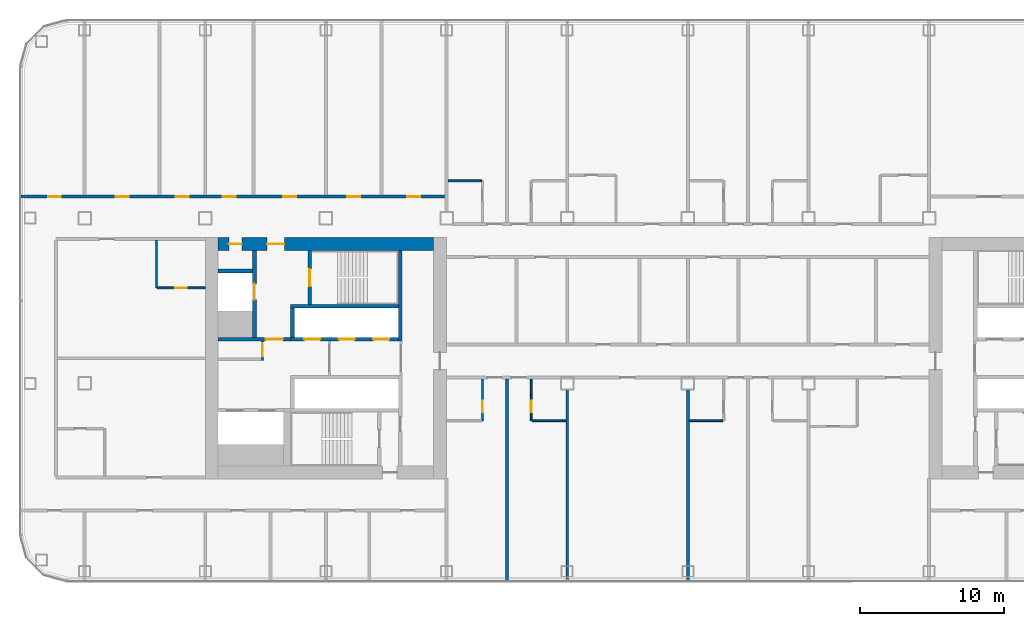
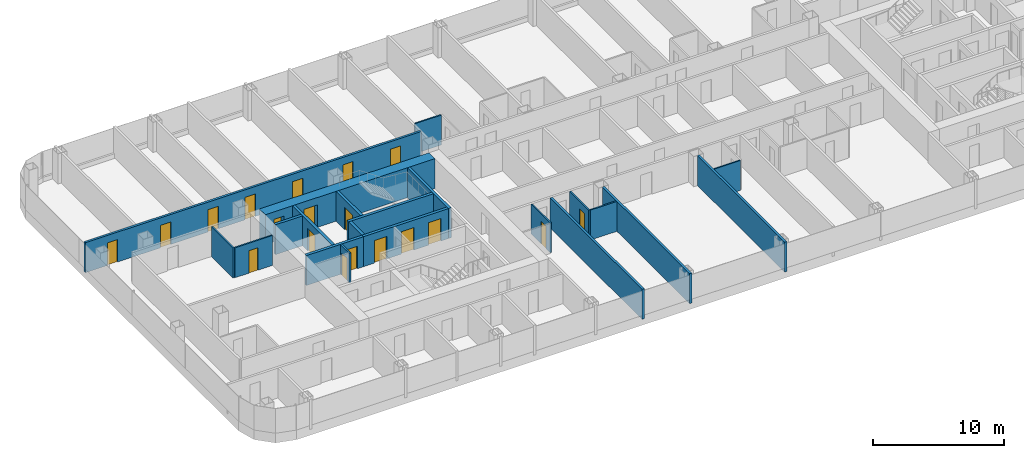
# One storey, part 16 of 29: 21 walls, 19 doors, 19 openings.
"""IFC4 building model written with IfcOpenShell, lengths in metres."""

from ifc_helpers import new_model, si_unit, direction, frame, frame_2d, origin, place, context, subcontext, project, spatial, rectangle, extrude, material, layer, layer_set, type_object, element, fill, save


model = new_model("IFC4")

# Units and contexts
model_context = context("Model", 3, precision=1e-05, world=origin(), true_north=direction((0.0, 1.0)))
body_context = subcontext(model_context, "Body", "Model", "MODEL_VIEW")
ifc_project = project(units=[si_unit("LENGTHUNIT", "METRE"), si_unit("AREAUNIT", "SQUARE_METRE"), si_unit("VOLUMEUNIT", "CUBIC_METRE"), si_unit("PLANEANGLEUNIT", "RADIAN"), si_unit("MASSUNIT", "GRAM", prefix="KILO")], contexts=[model_context])

# Site, building, storey
site_placement = place(None, origin())
site = spatial("IfcSite", under=ifc_project, at=site_placement, CompositionType="ELEMENT")
building_placement = place(site_placement, origin())
building = spatial("IfcBuilding", under=site, at=building_placement, Name="Hakoniwa Tower and Hamabe Station Hall", CompositionType="ELEMENT")
storey_placement = place(building_placement, frame((0.0, 0.0, 101.0)))
storey = spatial("IfcBuildingStorey", under=building, at=storey_placement, Name="L28", CompositionType="ELEMENT", Elevation=101.0)

# Walls
ifc_material_1 = material(Name="Gypsum board partition", Category="gypsum")
ifc_layer_1 = layer(ifc_material_1, 0.125)
ifc_layer_set_1 = layer_set([ifc_layer_1], Name="Bathroom Partition 125")
wall_type_1 = type_object("IfcWallType", Name="Bathroom Partition 125", PredefinedType="PARTITIONING", material=ifc_layer_set_1)
for number, where, z_axis, x_axis, name in (
    (1, (-10.83740234375, -4.35009765625, 0.0), (0.0, 0.0, 1.0), (1.0, 0.0, 0.0), "GW-L28-009"),
    (2, (0.10009765625, -4.35009765625, 0.0), (0.0, 0.0, 1.0), (1.0, 0.0, 0.0), "GW-L28-010"),
):
    element("IfcWall", number, at=place(storey_placement, frame(where, z_axis=z_axis, x_axis=x_axis)), inside=storey, type_object=wall_type_1, Name=name, PredefinedType="PARTITIONING", context=body_context, shape_type="SweptSolid", body=[
        extrude(rectangle(XDim=2.33740234375, YDim=0.125, at=frame_2d((1.168701171875, 0.0))), origin(), (0.0, 0.0, 1.0), 2.800048828125),
    ])

# Wall, opening, door
wall_1_placement = place(storey_placement, frame((-36.9375, 4.89990234375, 0.0), z_axis=(0.0, 0.0, 1.0), x_axis=(1.0, 0.0, 0.0)))
wall_1 = element("IfcWall", 3, at=wall_1_placement, inside=storey, type_object=wall_type_1, Name="GW-L28-016", PredefinedType="PARTITIONING", context=body_context, shape_type="SweptSolid", body=[
    extrude(rectangle(XDim=3.33740234375, YDim=0.125, at=frame_2d((1.668701171875, 0.0))), origin(), (0.0, 0.0, 1.0), 2.800048828125),
])
opening_1_placement = place(wall_1_placement, frame((1.237548828125, 0.0, 0.0)))
opening_1 = element("IfcOpeningElement", 4, at=opening_1_placement, cuts=wall_1, Name="Opening GD-G2D1-29", PredefinedType="OPENING", context=body_context, shape_type="SweptSolid", body=[
    extrude(rectangle(XDim=0.800048828125, YDim=2.10009765625, at=frame_2d((0.39990234375, 1.050048828125))), frame((0.0, 0.072509765625, 0.0), z_axis=(0.0, -1.0, 0.0), x_axis=(1.0, 0.0, 0.0)), (0.0, 0.0, 1.0), 0.14501953125),
])
ifc_material_2 = material(Name="Timber door leaf", Category="wood")
door_type_1 = type_object("IfcDoorType", Name="Bathroom Door 800", OperationType="SINGLE_SWING_LEFT", PredefinedType="DOOR", material=ifc_material_2)
door_1_placement = place(opening_1_placement, origin())
door_1 = element("IfcDoor", 5, at=door_1_placement, inside=storey, type_object=door_type_1, Name="Door GD-G2D1-29", OperationType="SINGLE_SWING_RIGHT", OverallHeight=2.10009765625, OverallWidth=0.800048828125, PredefinedType="DOOR", context=body_context, shape_type="SweptSolid", body=[
    extrude(rectangle(XDim=0.800048828125, YDim=2.10009765625, at=frame_2d((0.39990234375, 1.050048828125))), frame((0.0, 0.02490234375, 0.0), z_axis=(0.0, -1.0, 0.0), x_axis=(1.0, 0.0, 0.0)), (0.0, 0.0, 1.0), 0.050048828125),
])
fill(opening_1, door_1)

# Walls
wall_2_placement = place(storey_placement, frame((-16.699951171875, 12.35009765625, 0.0), z_axis=(0.0, 0.0, 1.0), x_axis=(1.0, 0.0, 0.0)))
element("IfcWall", 6, at=wall_2_placement, inside=storey, type_object=wall_type_1, Name="GW-L28-024", PredefinedType="PARTITIONING", context=body_context, shape_type="SweptSolid", body=[
    extrude(rectangle(XDim=2.33740234375, YDim=0.125, at=frame_2d((1.168701171875, 0.0))), origin(), (0.0, 0.0, 1.0), 2.800048828125),
])
wall_3_placement = place(storey_placement, frame((-37.0, 4.89990234375, 0.0), z_axis=(0.0, 0.0, 1.0), x_axis=(0.0, 1.0, 0.0)))
element("IfcWall", 7, at=wall_3_placement, inside=storey, type_object=wall_type_1, Name="GW-L28-034", PredefinedType="PARTITIONING", context=body_context, shape_type="SweptSolid", body=[
    extrude(rectangle(XDim=3.300048828125, YDim=0.125, at=frame_2d((1.64990234375, 0.0))), origin(), (0.0, 0.0, 1.0), 2.800048828125),
])

# Wall, opening, door
wall_4_placement = place(storey_placement, frame((-14.300048828125, -4.35009765625, 0.0), z_axis=(0.0, 0.0, 1.0), x_axis=(0.0, 1.0, 0.0)))
wall_4 = element("IfcWall", 8, at=wall_4_placement, inside=storey, type_object=wall_type_1, Name="GW-L28-046", PredefinedType="PARTITIONING", context=body_context, shape_type="SweptSolid", body=[
    extrude(rectangle(XDim=2.900146484375, YDim=0.125, at=frame_2d((1.4501953125, 0.0))), origin(), (0.0, 0.0, 1.0), 2.800048828125),
])
opening_2_placement = place(wall_4_placement, frame((0.60009765625, 0.0, 0.0)))
opening_2 = element("IfcOpeningElement", 9, at=opening_2_placement, cuts=wall_4, Name="Opening GD-G2D1-56", PredefinedType="OPENING", context=body_context, shape_type="SweptSolid", body=[
    extrude(rectangle(XDim=0.800048828125, YDim=2.10009765625, at=frame_2d((0.39990234375, 1.050048828125))), frame((0.0, 0.072509765625, 0.0), z_axis=(0.0, -1.0, 0.0), x_axis=(1.0, 0.0, 0.0)), (0.0, 0.0, 1.0), 0.14501953125),
])
door_2_placement = place(opening_2_placement, origin())
door_2 = element("IfcDoor", 10, at=door_2_placement, inside=storey, type_object=door_type_1, Name="Door GD-G2D1-56", OperationType="SINGLE_SWING_RIGHT", OverallHeight=2.10009765625, OverallWidth=0.800048828125, PredefinedType="DOOR", context=body_context, shape_type="SweptSolid", body=[
    extrude(rectangle(XDim=0.800048828125, YDim=2.10009765625, at=frame_2d((0.39990234375, 1.050048828125))), frame((0.0, 0.02490234375, 0.0), z_axis=(0.0, -1.0, 0.0), x_axis=(1.0, 0.0, 0.0)), (0.0, 0.0, 1.0), 0.050048828125),
])
fill(opening_2, door_2)

wall_5_placement = place(storey_placement, frame((-10.89990234375, -4.35009765625, 0.0), z_axis=(0.0, 0.0, 1.0), x_axis=(0.0, 1.0, 0.0)))
wall_5 = element("IfcWall", 11, at=wall_5_placement, inside=storey, type_object=wall_type_1, Name="GW-L28-051", PredefinedType="PARTITIONING", context=body_context, shape_type="SweptSolid", body=[
    extrude(rectangle(XDim=2.900146484375, YDim=0.125, at=frame_2d((1.4501953125, 0.0))), origin(), (0.0, 0.0, 1.0), 2.800048828125),
])
opening_3_placement = place(wall_5_placement, frame((0.60009765625, 0.0, 0.0)))
opening_3 = element("IfcOpeningElement", 12, at=opening_3_placement, cuts=wall_5, Name="Opening GD-G2D1-58", PredefinedType="OPENING", context=body_context, shape_type="SweptSolid", body=[
    extrude(rectangle(XDim=0.800048828125, YDim=2.10009765625, at=frame_2d((0.39990234375, 1.050048828125))), frame((0.0, 0.072509765625, 0.0), z_axis=(0.0, -1.0, 0.0), x_axis=(1.0, 0.0, 0.0)), (0.0, 0.0, 1.0), 0.14501953125),
])
door_3_placement = place(opening_3_placement, origin())
door_3 = element("IfcDoor", 13, at=door_3_placement, inside=storey, type_object=door_type_1, Name="Door GD-G2D1-58", OperationType="SINGLE_SWING_LEFT", OverallHeight=2.10009765625, OverallWidth=0.800048828125, PredefinedType="DOOR", context=body_context, shape_type="SweptSolid", body=[
    extrude(rectangle(XDim=0.800048828125, YDim=2.10009765625, at=frame_2d((0.39990234375, 1.050048828125))), frame((0.0, 0.02490234375, 0.0), z_axis=(0.0, -1.0, 0.0), x_axis=(1.0, 0.0, 0.0)), (0.0, 0.0, 1.0), 0.050048828125),
])
fill(opening_3, door_3)

ifc_material_3 = material(Name="Gypsum board partition")
ifc_layer_2 = layer(ifc_material_3, 0.14990234375)
ifc_layer_set_2 = layer_set([ifc_layer_2], Name="CORE PARTITION 150 EI 60")
wall_type_2 = type_object("IfcWallType", Name="CORE PARTITION 150 EI 60", PredefinedType="PARTITIONING", material=ifc_layer_set_2)
wall_6_placement = place(storey_placement, frame((-29.625, -0.14990234375, 0.0), z_axis=(0.0, 0.0, 1.0), x_axis=(0.0, 1.0, 0.0)))
wall_6 = element("IfcWall", 14, at=wall_6_placement, inside=storey, type_object=wall_type_2, Name="Core partition PW0 west", PredefinedType="PARTITIONING", context=body_context, shape_type="SweptSolid", body=[
    extrude(rectangle(XDim=1.349853515625, YDim=0.14990234375, at=frame_2d((0.6748046875, 0.0))), origin(), (0.0, 0.0, 1.0), 2.800048828125),
])
opening_4_placement = place(wall_6_placement, frame((0.300048828125, 0.0, 0.0)))
opening_4 = element("IfcOpeningElement", 15, at=opening_4_placement, cuts=wall_6, Name="Opening CD-W-RM1-9", PredefinedType="OPENING", context=body_context, shape_type="SweptSolid", body=[
    extrude(rectangle(XDim=0.89990234375, YDim=2.10009765625, at=frame_2d((0.449951171875, 1.050048828125))), frame((0.0, 0.0849609375, 0.0), z_axis=(0.0, -1.0, 0.0), x_axis=(1.0, 0.0, 0.0)), (0.0, 0.0, 1.0), 0.169921875),
])
ifc_material_4 = material(Name="Steel fire door", Category="steel")
door_type_2 = type_object("IfcDoorType", Name="CORE DOOR 900 FD30", OperationType="NOTDEFINED", PredefinedType="DOOR", material=ifc_material_4)
door_4_placement = place(opening_4_placement, origin())
door_4 = element("IfcDoor", 16, at=door_4_placement, inside=storey, type_object=door_type_2, Name="Store room door", OperationType="SINGLE_SWING_RIGHT", OverallHeight=2.10009765625, OverallWidth=0.89990234375, PredefinedType="DOOR", context=body_context, shape_type="SweptSolid", body=[
    extrude(rectangle(XDim=0.89990234375, YDim=2.10009765625, at=frame_2d((0.449951171875, 1.050048828125))), frame((0.0, 0.02490234375, 0.0), z_axis=(0.0, -1.0, 0.0), x_axis=(1.0, 0.0, 0.0)), (0.0, 0.0, 1.0), 0.050048828125),
])
fill(opening_4, door_4)

# Wall, openings, doors
ifc_material_5 = material(Name="Concrete C72", Category="concrete")
ifc_layer_3 = layer(ifc_material_5, 0.89990234375)
ifc_layer_set_3 = layer_set([ifc_layer_3], Name="CORE WALL 900 C72")
wall_type_3 = type_object("IfcWallType", Name="CORE WALL 900 C72", PredefinedType="SHEAR", material=ifc_layer_set_3)
wall_7_placement = place(storey_placement, frame((-32.699951171875, 7.949951171875, 0.0), z_axis=(0.0, 0.0, 1.0), x_axis=(1.0, 0.0, 0.0)))
wall_7 = element("IfcWall", 17, at=wall_7_placement, inside=storey, type_object=wall_type_3, Name="Core wall NORTH west", PredefinedType="SHEAR", context=body_context, shape_type="SweptSolid", body=[
    extrude(rectangle(XDim=15.0, YDim=0.89990234375, at=frame_2d((7.5, 0.0))), origin(), (0.0, 0.0, 1.0), 2.800048828125),
])
opening_5_placement = place(wall_7_placement, frame((3.39990234375, 0.0, 0.0)))
opening_5 = element("IfcOpeningElement", 18, at=opening_5_placement, cuts=wall_7, Name="Opening CD-W-FN1-12", PredefinedType="OPENING", context=body_context, shape_type="SweptSolid", body=[
    extrude(rectangle(XDim=1.199951171875, YDim=2.10009765625, at=frame_2d((0.60009765625, 1.050048828125))), frame((0.0, 0.4599609375, 0.0), z_axis=(0.0, -1.0, 0.0), x_axis=(1.0, 0.0, 0.0)), (0.0, 0.0, 1.0), 0.919921875),
])
opening_6_placement = place(wall_7_placement, frame((0.75, 0.0, 0.0)))
opening_6 = element("IfcOpeningElement", 19, at=opening_6_placement, cuts=wall_7, Name="Opening CD-W-FN2-9", PredefinedType="OPENING", context=body_context, shape_type="SweptSolid", body=[
    extrude(rectangle(XDim=0.89990234375, YDim=2.10009765625, at=frame_2d((0.449951171875, 1.050048828125))), frame((0.0, 0.4599609375, 0.0), z_axis=(0.0, -1.0, 0.0), x_axis=(1.0, 0.0, 0.0)), (0.0, 0.0, 1.0), 0.919921875),
])
ifc_material_6 = material(Name="Steel fire door", Category="steel")
door_type_3 = type_object("IfcDoorType", Name="CORE DOOR 1200 FD60", OperationType="DOUBLE_DOOR_SINGLE_SWING", PredefinedType="DOOR", material=ifc_material_6)
door_5_placement = place(opening_5_placement, origin())
door_5 = element("IfcDoor", 20, at=door_5_placement, inside=storey, type_object=door_type_3, Name="Stair vestibule door to the fire-fighting lobby", OperationType="DOUBLE_DOOR_SINGLE_SWING", OverallHeight=2.10009765625, OverallWidth=1.199951171875, PredefinedType="DOOR", context=body_context, shape_type="SweptSolid", body=[
    extrude(rectangle(XDim=1.199951171875, YDim=2.10009765625, at=frame_2d((0.60009765625, 1.050048828125))), frame((0.0, 0.02490234375, 0.0), z_axis=(0.0, -1.0, 0.0), x_axis=(1.0, 0.0, 0.0)), (0.0, 0.0, 1.0), 0.050048828125),
])
fill(opening_5, door_5)
door_6_placement = place(opening_6_placement, origin())
door_6 = element("IfcDoor", 21, at=door_6_placement, inside=storey, type_object=door_type_2, Name="Riser access door", OperationType="SINGLE_SWING_RIGHT", OverallHeight=2.10009765625, OverallWidth=0.89990234375, PredefinedType="DOOR", context=body_context, shape_type="SweptSolid", body=[
    extrude(rectangle(XDim=0.89990234375, YDim=2.10009765625, at=frame_2d((0.449951171875, 1.050048828125))), frame((0.0, 0.02490234375, 0.0), z_axis=(0.0, -1.0, 0.0), x_axis=(1.0, 0.0, 0.0)), (0.0, 0.0, 1.0), 0.050048828125),
])
fill(opening_6, door_6)

# Wall
ifc_material_7 = material(Name="Concrete C72", Category="concrete")
ifc_layer_4 = layer(ifc_material_7, 0.25)
ifc_layer_set_4 = layer_set([ifc_layer_4], Name="CORE WEB WALL 250 C72")
wall_type_4 = type_object("IfcWallType", Name="CORE WEB WALL 250 C72", PredefinedType="SHEAR", material=ifc_layer_set_4)
wall_8_placement = place(storey_placement, frame((-20.02490234375, 1.199951171875, 0.0), z_axis=(0.0, 0.0, 1.0), x_axis=(0.0, 1.0, 0.0)))
element("IfcWall", 22, at=wall_8_placement, inside=storey, type_object=wall_type_4, Name="Core wall W1N west", PredefinedType="SHEAR", context=body_context, shape_type="SweptSolid", body=[
    extrude(rectangle(XDim=6.300048828125, YDim=0.25, at=frame_2d((3.14990234375, 0.0))), origin(), (0.0, 0.0, 1.0), 2.800048828125),
])

# Wall, openings, doors
wall_9_placement = place(storey_placement, frame((-27.64990234375, 1.324951171875, 0.0), z_axis=(0.0, 0.0, 1.0), x_axis=(1.0, 0.0, 0.0)))
wall_9 = element("IfcWall", 23, at=wall_9_placement, inside=storey, type_object=wall_type_4, Name="Core wall NF west", PredefinedType="SHEAR", context=body_context, shape_type="SweptSolid", body=[
    extrude(rectangle(XDim=7.5, YDim=0.25, at=frame_2d((3.75, 0.0))), origin(), (0.0, 0.0, 1.0), 2.800048828125),
])
opening_7_placement = place(wall_9_placement, frame((5.75, 0.0, 0.0)))
opening_7 = element("IfcOpeningElement", 24, at=opening_7_placement, cuts=wall_9, Name="Opening LD-LR1", PredefinedType="OPENING", context=body_context, shape_type="SweptSolid", body=[
    extrude(rectangle(XDim=1.10009765625, YDim=2.10009765625, at=frame_2d((0.550048828125, 1.050048828125))), frame((0.0, 0.135009765625, 0.0), z_axis=(0.0, -1.0, 0.0), x_axis=(1.0, 0.0, 0.0)), (0.0, 0.0, 1.0), 0.27001953125),
])
opening_8_placement = place(wall_9_placement, frame((3.35009765625, 0.0, 0.0)))
opening_8 = element("IfcOpeningElement", 25, at=opening_8_placement, cuts=wall_9, Name="Opening LD-LR2", PredefinedType="OPENING", context=body_context, shape_type="SweptSolid", body=[
    extrude(rectangle(XDim=1.10009765625, YDim=2.10009765625, at=frame_2d((0.550048828125, 1.050048828125))), frame((0.0, 0.135009765625, 0.0), z_axis=(0.0, -1.0, 0.0), x_axis=(1.0, 0.0, 0.0)), (0.0, 0.0, 1.0), 0.27001953125),
])
opening_9_placement = place(wall_9_placement, frame((0.949951171875, 0.0, 0.0)))
opening_9 = element("IfcOpeningElement", 26, at=opening_9_placement, cuts=wall_9, Name="Opening LD-LR3", PredefinedType="OPENING", context=body_context, shape_type="SweptSolid", body=[
    extrude(rectangle(XDim=1.10009765625, YDim=2.10009765625, at=frame_2d((0.550048828125, 1.050048828125))), frame((0.0, 0.135009765625, 0.0), z_axis=(0.0, -1.0, 0.0), x_axis=(1.0, 0.0, 0.0)), (0.0, 0.0, 1.0), 0.27001953125),
])
ifc_material_8 = material(Name="Stainless steel SUS304", Category="steel")
door_type_4 = type_object("IfcDoorType", Name="LIFT LANDING DOOR 1100 FD60", OperationType="DOUBLE_DOOR_SLIDING", PredefinedType="DOOR", material=ifc_material_8)
door_7_placement = place(opening_7_placement, origin())
door_7 = element("IfcDoor", 27, at=door_7_placement, inside=storey, type_object=door_type_4, Name="Lift landing door LR1 L28", OperationType="DOUBLE_DOOR_SLIDING", OverallHeight=2.10009765625, OverallWidth=1.10009765625, PredefinedType="DOOR", context=body_context, shape_type="SweptSolid", body=[
    extrude(rectangle(XDim=1.10009765625, YDim=2.10009765625, at=frame_2d((0.550048828125, 1.050048828125))), frame((0.0, 0.02490234375, 0.0), z_axis=(0.0, -1.0, 0.0), x_axis=(1.0, 0.0, 0.0)), (0.0, 0.0, 1.0), 0.050048828125),
])
fill(opening_7, door_7)
door_8_placement = place(opening_8_placement, origin())
door_8 = element("IfcDoor", 28, at=door_8_placement, inside=storey, type_object=door_type_4, Name="Lift landing door LR2 L28", OperationType="DOUBLE_DOOR_SLIDING", OverallHeight=2.10009765625, OverallWidth=1.10009765625, PredefinedType="DOOR", context=body_context, shape_type="SweptSolid", body=[
    extrude(rectangle(XDim=1.10009765625, YDim=2.10009765625, at=frame_2d((0.550048828125, 1.050048828125))), frame((0.0, 0.02490234375, 0.0), z_axis=(0.0, -1.0, 0.0), x_axis=(1.0, 0.0, 0.0)), (0.0, 0.0, 1.0), 0.050048828125),
])
fill(opening_8, door_8)
door_9_placement = place(opening_9_placement, origin())
door_9 = element("IfcDoor", 29, at=door_9_placement, inside=storey, type_object=door_type_4, Name="Lift landing door LR3 L28", OperationType="DOUBLE_DOOR_SLIDING", OverallHeight=2.10009765625, OverallWidth=1.10009765625, PredefinedType="DOOR", context=body_context, shape_type="SweptSolid", body=[
    extrude(rectangle(XDim=1.10009765625, YDim=2.10009765625, at=frame_2d((0.550048828125, 1.050048828125))), frame((0.0, 0.02490234375, 0.0), z_axis=(0.0, -1.0, 0.0), x_axis=(1.0, 0.0, 0.0)), (0.0, 0.0, 1.0), 0.050048828125),
])
fill(opening_9, door_9)

# Walls
wall_10_placement = place(storey_placement, frame((-27.52490234375, 1.449951171875, 0.0), z_axis=(0.0, 0.0, 1.0), x_axis=(0.0, 1.0, 0.0)))
element("IfcWall", 30, at=wall_10_placement, inside=storey, type_object=wall_type_4, Name="Core wall NE west", PredefinedType="SHEAR", context=body_context, shape_type="SweptSolid", body=[
    extrude(rectangle(XDim=2.050048828125, YDim=0.25, at=frame_2d((1.02490234375, 0.0))), origin(), (0.0, 0.0, 1.0), 2.800048828125),
])
wall_11_placement = place(storey_placement, frame((-27.64990234375, 3.625, 0.0), z_axis=(0.0, 0.0, 1.0), x_axis=(1.0, 0.0, 0.0)))
element("IfcWall", 31, at=wall_11_placement, inside=storey, type_object=wall_type_4, Name="Core wall NR west", PredefinedType="SHEAR", context=body_context, shape_type="SweptSolid", body=[
    extrude(rectangle(XDim=7.5, YDim=0.25, at=frame_2d((3.75, 0.0))), origin(), (0.0, 0.0, 1.0), 2.800048828125),
])

# Wall, opening, door
wall_12_placement = place(storey_placement, frame((-26.324951171875, 3.75, 0.0), z_axis=(0.0, 0.0, 1.0), x_axis=(0.0, 1.0, 0.0)))
wall_12 = element("IfcWall", 32, at=wall_12_placement, inside=storey, type_object=wall_type_4, Name="Core wall NSE west", PredefinedType="SHEAR", context=body_context, shape_type="SweptSolid", body=[
    extrude(rectangle(XDim=3.75, YDim=0.25, at=frame_2d((1.875, 0.0))), origin(), (0.0, 0.0, 1.0), 2.800048828125),
])
opening_10_placement = place(wall_12_placement, frame((1.25, 0.0, 0.0)))
opening_10 = element("IfcOpeningElement", 33, at=opening_10_placement, cuts=wall_12, Name="Opening CD-W-SN-12", PredefinedType="OPENING", context=body_context, shape_type="SweptSolid", body=[
    extrude(rectangle(XDim=1.199951171875, YDim=2.10009765625, at=frame_2d((0.60009765625, 1.050048828125))), frame((0.0, 0.135009765625, 0.0), z_axis=(0.0, -1.0, 0.0), x_axis=(1.0, 0.0, 0.0)), (0.0, 0.0, 1.0), 0.27001953125),
])
door_10_placement = place(opening_10_placement, origin())
door_10 = element("IfcDoor", 34, at=door_10_placement, inside=storey, type_object=door_type_3, Name="Escape stair door", OperationType="DOUBLE_DOOR_SINGLE_SWING", OverallHeight=2.10009765625, OverallWidth=1.199951171875, PredefinedType="DOOR", context=body_context, shape_type="SweptSolid", body=[
    extrude(rectangle(XDim=1.199951171875, YDim=2.10009765625, at=frame_2d((0.60009765625, 1.050048828125))), frame((0.0, 0.02490234375, 0.0), z_axis=(0.0, -1.0, 0.0), x_axis=(1.0, 0.0, 0.0)), (0.0, 0.0, 1.0), 0.050048828125),
])
fill(opening_10, door_10)

wall_13_placement = place(storey_placement, frame((-32.699951171875, 1.324951171875, 0.0), z_axis=(0.0, 0.0, 1.0), x_axis=(1.0, 0.0, 0.0)))
wall_13 = element("IfcWall", 35, at=wall_13_placement, inside=storey, type_object=wall_type_4, Name="Core wall ELN west", PredefinedType="SHEAR", context=body_context, shape_type="SweptSolid", body=[
    extrude(rectangle(XDim=5.050048828125, YDim=0.25, at=frame_2d((2.52490234375, 0.0))), origin(), (0.0, 0.0, 1.0), 2.800048828125),
])
opening_11_placement = place(wall_13_placement, frame((3.300048828125, 0.0, 0.0)))
opening_11 = element("IfcOpeningElement", 36, at=opening_11_placement, cuts=wall_13, Name="Opening CD-W-FL-12", PredefinedType="OPENING", context=body_context, shape_type="SweptSolid", body=[
    extrude(rectangle(XDim=1.199951171875, YDim=2.10009765625, at=frame_2d((0.60009765625, 1.050048828125))), frame((0.0, 0.135009765625, 0.0), z_axis=(0.0, -1.0, 0.0), x_axis=(1.0, 0.0, 0.0)), (0.0, 0.0, 1.0), 0.27001953125),
])
door_11_placement = place(opening_11_placement, origin())
door_11 = element("IfcDoor", 37, at=door_11_placement, inside=storey, type_object=door_type_3, Name="Stair vestibule door to the fire-fighting lobby", OperationType="DOUBLE_DOOR_SINGLE_SWING", OverallHeight=2.10009765625, OverallWidth=1.199951171875, PredefinedType="DOOR", context=body_context, shape_type="SweptSolid", body=[
    extrude(rectangle(XDim=1.199951171875, YDim=2.10009765625, at=frame_2d((0.60009765625, 1.050048828125))), frame((0.0, 0.02490234375, 0.0), z_axis=(0.0, -1.0, 0.0), x_axis=(1.0, 0.0, 0.0)), (0.0, 0.0, 1.0), 0.050048828125),
])
fill(opening_11, door_11)

wall_14_placement = place(storey_placement, frame((-30.175048828125, 1.449951171875, 0.0), z_axis=(0.0, 0.0, 1.0), x_axis=(0.0, 1.0, 0.0)))
wall_14 = element("IfcWall", 38, at=wall_14_placement, inside=storey, type_object=wall_type_4, Name="Core wall FFF west", PredefinedType="SHEAR", context=body_context, shape_type="SweptSolid", body=[
    extrude(rectangle(XDim=6.050048828125, YDim=0.25, at=frame_2d((3.02490234375, 0.0))), origin(), (0.0, 0.0, 1.0), 2.800048828125),
])
opening_12_placement = place(wall_14_placement, frame((2.625, 0.0, 0.0)))
opening_12 = element("IfcOpeningElement", 39, at=opening_12_placement, cuts=wall_14, Name="Opening LD-FF1", PredefinedType="OPENING", context=body_context, shape_type="SweptSolid", body=[
    extrude(rectangle(XDim=1.10009765625, YDim=2.10009765625, at=frame_2d((0.550048828125, 1.050048828125))), frame((0.0, 0.135009765625, 0.0), z_axis=(0.0, -1.0, 0.0), x_axis=(1.0, 0.0, 0.0)), (0.0, 0.0, 1.0), 0.27001953125),
])
door_12_placement = place(opening_12_placement, origin())
door_12 = element("IfcDoor", 40, at=door_12_placement, inside=storey, type_object=door_type_4, Name="Lift landing door FF1 L28", OperationType="DOUBLE_DOOR_SLIDING", OverallHeight=2.10009765625, OverallWidth=1.10009765625, PredefinedType="DOOR", context=body_context, shape_type="SweptSolid", body=[
    extrude(rectangle(XDim=1.10009765625, YDim=2.10009765625, at=frame_2d((0.550048828125, 1.050048828125))), frame((0.0, 0.02490234375, 0.0), z_axis=(0.0, -1.0, 0.0), x_axis=(1.0, 0.0, 0.0)), (0.0, 0.0, 1.0), 0.050048828125),
])
fill(opening_12, door_12)

# Wall
wall_15_placement = place(storey_placement, frame((-32.699951171875, 6.074951171875, 0.0), z_axis=(0.0, 0.0, 1.0), x_axis=(1.0, 0.0, 0.0)))
element("IfcWall", 41, at=wall_15_placement, inside=storey, type_object=wall_type_4, Name="Core wall C2 west", PredefinedType="SHEAR", context=body_context, shape_type="SweptSolid", body=[
    extrude(rectangle(XDim=2.39990234375, YDim=0.25, at=frame_2d((1.199951171875, 0.0))), origin(), (0.0, 0.0, 1.0), 2.800048828125),
])

# Wall, openings, doors
ifc_material_9 = material(Name="Fire-rated gypsum board partition", Category="gypsum")
ifc_layer_5 = layer(ifc_material_9, 0.199951171875)
ifc_layer_set_5 = layer_set([ifc_layer_5], Name="Corridor Wall 200")
wall_type_5 = type_object("IfcWallType", Name="Corridor Wall 200", PredefinedType="PARTITIONING", material=ifc_layer_set_5)
wall_16_placement = place(storey_placement, frame((-46.5, 11.25, 0.0), z_axis=(0.0, 0.0, 1.0), x_axis=(1.0, 0.0, 0.0)))
wall_16 = element("IfcWall", 42, at=wall_16_placement, inside=storey, type_object=wall_type_5, Name="GW-L28-022", PredefinedType="PARTITIONING", context=body_context, shape_type="SweptSolid", body=[
    extrude(rectangle(XDim=29.699951171875, YDim=0.199951171875, at=frame_2d((14.85009765625, 0.0))), origin(), (0.0, 0.0, 1.0), 2.800048828125),
])
opening_13_placement = place(wall_16_placement, frame((1.949951171875, 0.0, 0.0)))
opening_13 = element("IfcOpeningElement", 43, at=opening_13_placement, cuts=wall_16, Name="Opening GD-G2D1-43", PredefinedType="OPENING", context=body_context, shape_type="SweptSolid", body=[
    extrude(rectangle(XDim=0.89990234375, YDim=2.10009765625, at=frame_2d((0.449951171875, 1.050048828125))), frame((0.0, 0.10986328125, 0.0), z_axis=(0.0, -1.0, 0.0), x_axis=(1.0, 0.0, 0.0)), (0.0, 0.0, 1.0), 0.219970703125),
])
opening_14_placement = place(wall_16_placement, frame((6.655029296875, 0.0, 0.0)))
opening_14 = element("IfcOpeningElement", 44, at=opening_14_placement, cuts=wall_16, Name="Opening GD-G2D1-44", PredefinedType="OPENING", context=body_context, shape_type="SweptSolid", body=[
    extrude(rectangle(XDim=0.89990234375, YDim=2.10009765625, at=frame_2d((0.449951171875, 1.050048828125))), frame((0.0, 0.10986328125, 0.0), z_axis=(0.0, -1.0, 0.0), x_axis=(1.0, 0.0, 0.0)), (0.0, 0.0, 1.0), 0.219970703125),
])
opening_15_placement = place(wall_16_placement, frame((10.85498046875, 0.0, 0.0)))
opening_15 = element("IfcOpeningElement", 45, at=opening_15_placement, cuts=wall_16, Name="Opening GD-G2D1-45", PredefinedType="OPENING", context=body_context, shape_type="SweptSolid", body=[
    extrude(rectangle(XDim=0.89990234375, YDim=2.10009765625, at=frame_2d((0.449951171875, 1.050048828125))), frame((0.0, 0.10986328125, 0.0), z_axis=(0.0, -1.0, 0.0), x_axis=(1.0, 0.0, 0.0)), (0.0, 0.0, 1.0), 0.219970703125),
])
opening_16_placement = place(wall_16_placement, frame((14.1298828125, 0.0, 0.0)))
opening_16 = element("IfcOpeningElement", 46, at=opening_16_placement, cuts=wall_16, Name="Opening GD-G2D1-46", PredefinedType="OPENING", context=body_context, shape_type="SweptSolid", body=[
    extrude(rectangle(XDim=0.89990234375, YDim=2.10009765625, at=frame_2d((0.449951171875, 1.050048828125))), frame((0.0, 0.10986328125, 0.0), z_axis=(0.0, -1.0, 0.0), x_axis=(1.0, 0.0, 0.0)), (0.0, 0.0, 1.0), 0.219970703125),
])
opening_17_placement = place(wall_16_placement, frame((18.330078125, 0.0, 0.0)))
opening_17 = element("IfcOpeningElement", 47, at=opening_17_placement, cuts=wall_16, Name="Opening GD-G2D1-47", PredefinedType="OPENING", context=body_context, shape_type="SweptSolid", body=[
    extrude(rectangle(XDim=0.89990234375, YDim=2.10009765625, at=frame_2d((0.449951171875, 1.050048828125))), frame((0.0, 0.10986328125, 0.0), z_axis=(0.0, -1.0, 0.0), x_axis=(1.0, 0.0, 0.0)), (0.0, 0.0, 1.0), 0.219970703125),
])
opening_18_placement = place(wall_16_placement, frame((22.780029296875, 0.0, 0.0)))
opening_18 = element("IfcOpeningElement", 48, at=opening_18_placement, cuts=wall_16, Name="Opening GD-G2D1-48", PredefinedType="OPENING", context=body_context, shape_type="SweptSolid", body=[
    extrude(rectangle(XDim=0.89990234375, YDim=2.10009765625, at=frame_2d((0.449951171875, 1.050048828125))), frame((0.0, 0.10986328125, 0.0), z_axis=(0.0, -1.0, 0.0), x_axis=(1.0, 0.0, 0.0)), (0.0, 0.0, 1.0), 0.219970703125),
])
opening_19_placement = place(wall_16_placement, frame((26.97998046875, 0.0, 0.0)))
opening_19 = element("IfcOpeningElement", 49, at=opening_19_placement, cuts=wall_16, Name="Opening GD-G2D1-49", PredefinedType="OPENING", context=body_context, shape_type="SweptSolid", body=[
    extrude(rectangle(XDim=0.89990234375, YDim=2.10009765625, at=frame_2d((0.449951171875, 1.050048828125))), frame((0.0, 0.10986328125, 0.0), z_axis=(0.0, -1.0, 0.0), x_axis=(1.0, 0.0, 0.0)), (0.0, 0.0, 1.0), 0.219970703125),
])
ifc_material_10 = material(Name="Timber door leaf", Category="wood")
door_type_5 = type_object("IfcDoorType", Name="Service Door 900", OperationType="SINGLE_SWING_LEFT", PredefinedType="DOOR", material=ifc_material_10)
door_13_placement = place(opening_13_placement, origin())
door_13 = element("IfcDoor", 50, at=door_13_placement, inside=storey, type_object=door_type_5, Name="Door GD-G2D1-43", OperationType="SINGLE_SWING_LEFT", OverallHeight=2.10009765625, OverallWidth=0.89990234375, PredefinedType="DOOR", context=body_context, shape_type="SweptSolid", body=[
    extrude(rectangle(XDim=0.89990234375, YDim=2.10009765625, at=frame_2d((0.449951171875, 1.050048828125))), frame((0.0, 0.02490234375, 0.0), z_axis=(0.0, -1.0, 0.0), x_axis=(1.0, 0.0, 0.0)), (0.0, 0.0, 1.0), 0.050048828125),
])
fill(opening_13, door_13)
door_14_placement = place(opening_14_placement, origin())
door_14 = element("IfcDoor", 51, at=door_14_placement, inside=storey, type_object=door_type_5, Name="Door GD-G2D1-44", OperationType="SINGLE_SWING_RIGHT", OverallHeight=2.10009765625, OverallWidth=0.89990234375, PredefinedType="DOOR", context=body_context, shape_type="SweptSolid", body=[
    extrude(rectangle(XDim=0.89990234375, YDim=2.10009765625, at=frame_2d((0.449951171875, 1.050048828125))), frame((0.0, 0.02490234375, 0.0), z_axis=(0.0, -1.0, 0.0), x_axis=(1.0, 0.0, 0.0)), (0.0, 0.0, 1.0), 0.050048828125),
])
fill(opening_14, door_14)
door_15_placement = place(opening_15_placement, origin())
door_15 = element("IfcDoor", 52, at=door_15_placement, inside=storey, type_object=door_type_5, Name="Door GD-G2D1-45", OperationType="SINGLE_SWING_LEFT", OverallHeight=2.10009765625, OverallWidth=0.89990234375, PredefinedType="DOOR", context=body_context, shape_type="SweptSolid", body=[
    extrude(rectangle(XDim=0.89990234375, YDim=2.10009765625, at=frame_2d((0.449951171875, 1.050048828125))), frame((0.0, 0.02490234375, 0.0), z_axis=(0.0, -1.0, 0.0), x_axis=(1.0, 0.0, 0.0)), (0.0, 0.0, 1.0), 0.050048828125),
])
fill(opening_15, door_15)
door_16_placement = place(opening_16_placement, origin())
door_16 = element("IfcDoor", 53, at=door_16_placement, inside=storey, type_object=door_type_5, Name="Door GD-G2D1-46", OperationType="SINGLE_SWING_RIGHT", OverallHeight=2.10009765625, OverallWidth=0.89990234375, PredefinedType="DOOR", context=body_context, shape_type="SweptSolid", body=[
    extrude(rectangle(XDim=0.89990234375, YDim=2.10009765625, at=frame_2d((0.449951171875, 1.050048828125))), frame((0.0, 0.02490234375, 0.0), z_axis=(0.0, -1.0, 0.0), x_axis=(1.0, 0.0, 0.0)), (0.0, 0.0, 1.0), 0.050048828125),
])
fill(opening_16, door_16)
door_17_placement = place(opening_17_placement, origin())
door_17 = element("IfcDoor", 54, at=door_17_placement, inside=storey, type_object=door_type_5, Name="Door GD-G2D1-47", OperationType="SINGLE_SWING_LEFT", OverallHeight=2.10009765625, OverallWidth=0.89990234375, PredefinedType="DOOR", context=body_context, shape_type="SweptSolid", body=[
    extrude(rectangle(XDim=0.89990234375, YDim=2.10009765625, at=frame_2d((0.449951171875, 1.050048828125))), frame((0.0, 0.02490234375, 0.0), z_axis=(0.0, -1.0, 0.0), x_axis=(1.0, 0.0, 0.0)), (0.0, 0.0, 1.0), 0.050048828125),
])
fill(opening_17, door_17)
door_18_placement = place(opening_18_placement, origin())
door_18 = element("IfcDoor", 55, at=door_18_placement, inside=storey, type_object=door_type_5, Name="Door GD-G2D1-48", OperationType="SINGLE_SWING_RIGHT", OverallHeight=2.10009765625, OverallWidth=0.89990234375, PredefinedType="DOOR", context=body_context, shape_type="SweptSolid", body=[
    extrude(rectangle(XDim=0.89990234375, YDim=2.10009765625, at=frame_2d((0.449951171875, 1.050048828125))), frame((0.0, 0.02490234375, 0.0), z_axis=(0.0, -1.0, 0.0), x_axis=(1.0, 0.0, 0.0)), (0.0, 0.0, 1.0), 0.050048828125),
])
fill(opening_18, door_18)
door_19_placement = place(opening_19_placement, origin())
door_19 = element("IfcDoor", 56, at=door_19_placement, inside=storey, type_object=door_type_5, Name="Door GD-G2D1-49", OperationType="SINGLE_SWING_LEFT", OverallHeight=2.10009765625, OverallWidth=0.89990234375, PredefinedType="DOOR", context=body_context, shape_type="SweptSolid", body=[
    extrude(rectangle(XDim=0.89990234375, YDim=2.10009765625, at=frame_2d((0.449951171875, 1.050048828125))), frame((0.0, 0.02490234375, 0.0), z_axis=(0.0, -1.0, 0.0), x_axis=(1.0, 0.0, 0.0)), (0.0, 0.0, 1.0), 0.050048828125),
])
fill(opening_19, door_19)

# Walls
ifc_material_11 = material(Name="Fire-rated gypsum board partition", Category="gypsum")
ifc_layer_6 = layer(ifc_material_11, 0.199951171875)
ifc_layer_set_6 = layer_set([ifc_layer_6], Name="Party Wall 200")
wall_type_6 = type_object("IfcWallType", Name="Party Wall 200", PredefinedType="PARTITIONING", material=ifc_layer_set_6)
wall_17_placement = place(storey_placement, frame((-12.60009765625, -15.550048828125, 0.0), z_axis=(0.0, 0.0, 1.0), x_axis=(0.0, 1.0, 0.0)))
element("IfcWall", 57, at=wall_17_placement, inside=storey, type_object=wall_type_6, Name="GW-L28-048", PredefinedType="PARTITIONING", context=body_context, shape_type="SweptSolid", body=[
    extrude(rectangle(XDim=14.10009765625, YDim=0.199951171875, at=frame_2d((7.050048828125, 0.0))), origin(), (0.0, 0.0, 1.0), 2.800048828125),
])
for number, where, z_axis, x_axis, name in (
    (58, (-8.39990234375, -15.550048828125, 0.0), (0.0, 0.0, 1.0), (0.0, 1.0, 0.0), "GW-L28-053"),
    (59, (0.0, -15.550048828125, 0.0), (0.0, 0.0, 1.0), (0.0, 1.0, 0.0), "GW-L28-058"),
):
    element("IfcWall", number, at=place(storey_placement, frame(where, z_axis=z_axis, x_axis=x_axis)), inside=storey, type_object=wall_type_6, Name=name, PredefinedType="PARTITIONING", context=body_context, shape_type="SweptSolid", body=[
        extrude(rectangle(XDim=13.360107421875, YDim=0.199951171875, at=frame_2d((6.68017578125, 0.0))), origin(), (0.0, 0.0, 1.0), 2.800048828125),
    ])

save(model, "model.ifc")
